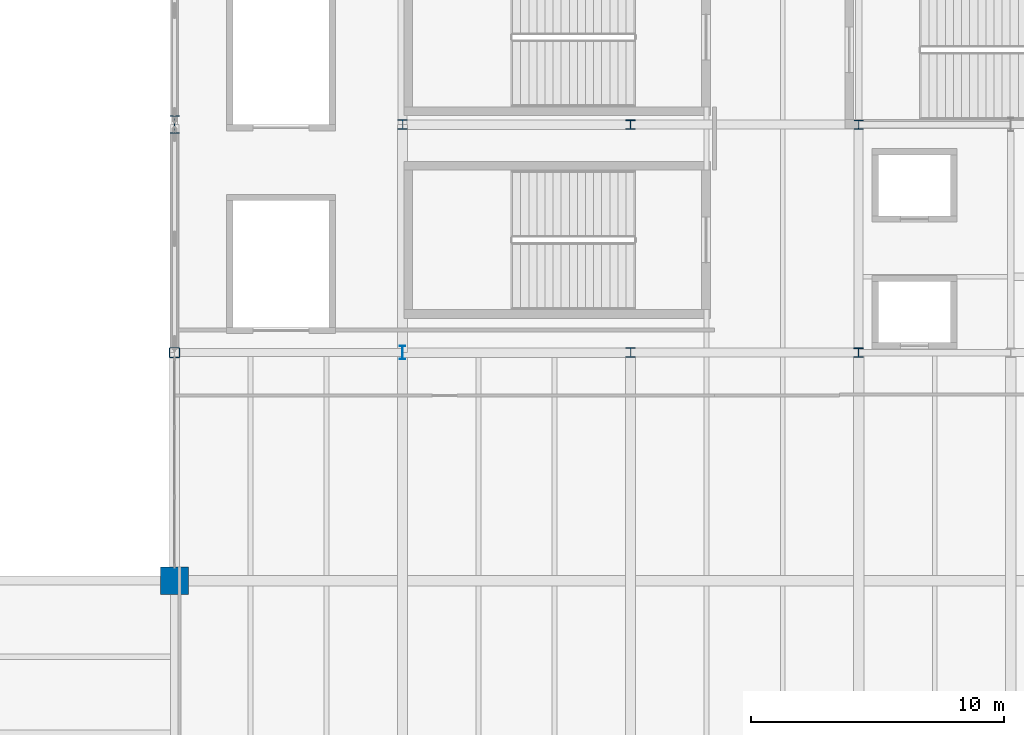
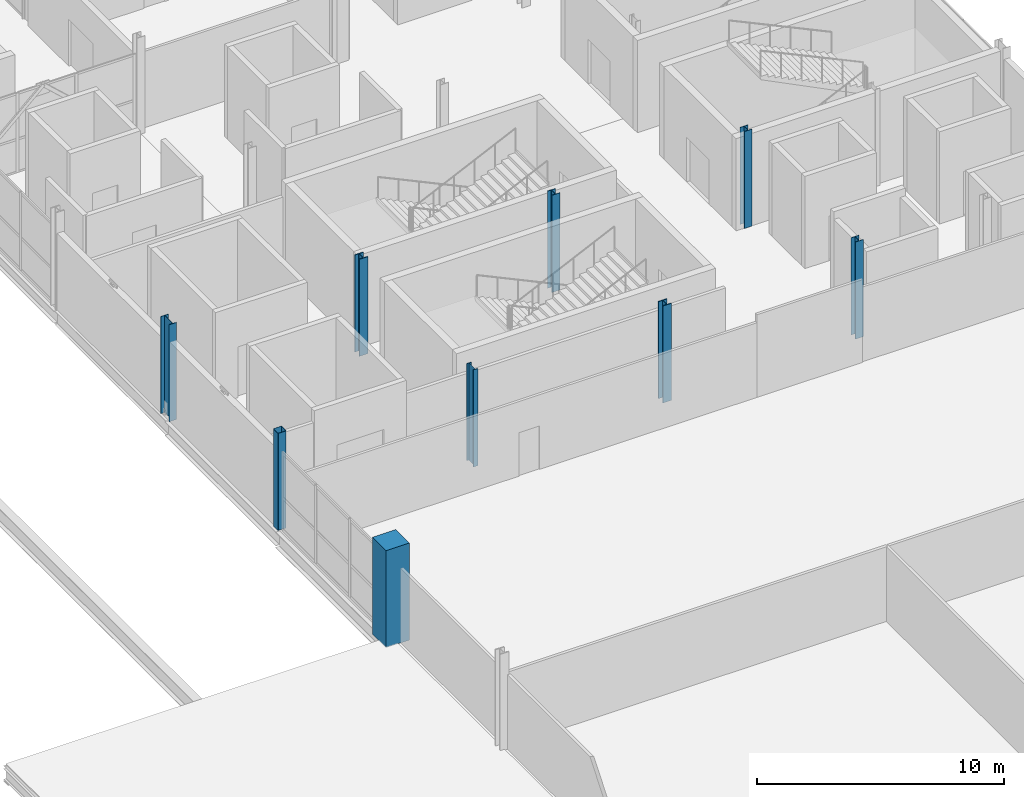
# One storey, part 2 of 50: 9 columns.
"""IFC4 building model written with IfcOpenShell, lengths in metres."""

from ifc_helpers import new_model, si_unit, direction, frame, origin, origin_2d, place, context, subcontext, project, spatial, rectangle, hollow_rectangle, i_section, extrude, material, material_profile, profile_set, type_object, element, save


model = new_model("IFC4")

# Units and contexts
model_context = context("Model", 3, precision=1e-05, world=origin(), true_north=direction((0.0, 1.0)))
body_context = subcontext(model_context, "Body", "Model", "MODEL_VIEW")
ifc_project = project(units=[si_unit("LENGTHUNIT", "METRE"), si_unit("AREAUNIT", "SQUARE_METRE"), si_unit("VOLUMEUNIT", "CUBIC_METRE"), si_unit("PLANEANGLEUNIT", "RADIAN"), si_unit("MASSUNIT", "GRAM", prefix="KILO")], contexts=[model_context])

# Site, building, storey
site_placement = place(None, origin())
site = spatial("IfcSite", under=ifc_project, at=site_placement, CompositionType="ELEMENT")
building_placement = place(site_placement, origin())
building = spatial("IfcBuilding", under=site, at=building_placement, Name="Qamarlyn Nura Convention Centre", CompositionType="ELEMENT")
storey_placement = place(building_placement, frame((0.0, 0.0, 20.39990234375)))
storey = spatial("IfcBuildingStorey", under=building, at=storey_placement, Name="L04", CompositionType="ELEMENT", Elevation=20.39990234375)

# Columns
ifc_material_1 = material(Name="Steel ASTM A500 Grade C", Category="steel")
ifc_material_profile_1 = material_profile(ifc_material_1, hollow_rectangle(XDim=0.39990234375, YDim=0.39990234375, WallThickness=0.01611328125, InnerFilletRadius=0.01611328125, OuterFilletRadius=0.031982421875, at=origin_2d()), Name="HSS400X400X16")
ifc_profile_set_1 = profile_set([ifc_material_profile_1], Name="Steel ASTM A500 Grade C")
column_type_1 = type_object("IfcColumnType", Name="COL-HSS-1", PredefinedType="COLUMN", material=ifc_profile_set_1)
column_1_placement = place(storey_placement, frame((153.0, 54.0, 0.0), z_axis=(0.0, 0.0, 1.0), x_axis=(1.0, 0.0, 0.0)))
element("IfcColumn", 1, at=column_1_placement, inside=storey, type_object=column_type_1, Name="L04 column 13/G", PredefinedType="COLUMN", context=body_context, shape_type="SweptSolid", body=[
    extrude(hollow_rectangle(XDim=0.39990234375, YDim=0.39990234375, WallThickness=0.01611328125, InnerFilletRadius=0.01611328125, OuterFilletRadius=0.031982421875, at=origin_2d()), origin(), (0.0, 0.0, 1.0), 4.800048828125),
])
ifc_material_2 = material(Name="Concrete C50/60", Category="concrete")
ifc_material_profile_2 = material_profile(ifc_material_2, rectangle(XDim=1.10009765625, YDim=1.10009765625, at=origin_2d()), Name="RC 1100x1100")
ifc_profile_set_2 = profile_set([ifc_material_profile_2], Name="Concrete C50/60")
column_type_2 = type_object("IfcColumnType", Name="COL-MEGA-2", PredefinedType="COLUMN", material=ifc_profile_set_2)
column_2_placement = place(storey_placement, frame((153.0, 45.0, 0.0), z_axis=(0.0, 0.0, 1.0), x_axis=(1.0, 0.0, 0.0)))
element("IfcColumn", 2, at=column_2_placement, inside=storey, type_object=column_type_2, Name="L04 column 13/F", PredefinedType="COLUMN", context=body_context, shape_type="SweptSolid", body=[
    extrude(rectangle(XDim=1.10009765625, YDim=1.10009765625, at=origin_2d()), origin(), (0.0, 0.0, 1.0), 4.800048828125),
])
ifc_material_3 = material(Name="Steel ASTM A992", Category="steel")
ifc_material_profile_3 = material_profile(ifc_material_3, i_section(OverallWidth=0.39892578125, OverallDepth=0.39306640625, WebThickness=0.022705078125, FlangeThickness=0.03662109375, FilletRadius=0.01806640625, at=origin_2d()), Name="W360X287")
ifc_profile_set_3 = profile_set([ifc_material_profile_3], Name="Steel ASTM A992")
column_type_3 = type_object("IfcColumnType", Name="COL-WING-1", PredefinedType="COLUMN", material=ifc_profile_set_3)
for number, where, z_axis, x_axis, name in (
    (3, (162.0, 63.0, 0.0), (0.0, 0.0, 1.0), (1.0, 0.0, 0.0), "L04 column 14/H"),
    (4, (171.0, 54.0, 0.0), (0.0, 0.0, 1.0), (1.0, 0.0, 0.0), "L04 column 15/G"),
):
    element("IfcColumn", number, at=place(storey_placement, frame(where, z_axis=z_axis, x_axis=x_axis)), inside=storey, type_object=column_type_3, Name=name, PredefinedType="COLUMN", context=body_context, shape_type="SweptSolid", body=[
        extrude(i_section(OverallWidth=0.39892578125, OverallDepth=0.39306640625, WebThickness=0.022705078125, FlangeThickness=0.03662109375, FilletRadius=0.01806640625, at=origin_2d()), origin(), (0.0, 0.0, 1.0), 4.800048828125),
    ])
ifc_material_profile_4 = material_profile(ifc_material_3, i_section(OverallWidth=0.3740234375, OverallDepth=0.3720703125, WebThickness=0.016357421875, FlangeThickness=0.026123046875, FilletRadius=0.01611328125, at=origin_2d()), Name="W360X196")
ifc_profile_set_4 = profile_set([ifc_material_profile_4], Name="Steel ASTM A992")
column_type_4 = type_object("IfcColumnType", Name="COL-WING-2", PredefinedType="COLUMN", material=ifc_profile_set_4)
for number, where, z_axis, x_axis, name in (
    (5, (171.0, 63.0, 0.0), (0.0, 0.0, 1.0), (1.0, 0.0, 0.0), "L04 column 15/H"),
    (6, (180.0, 54.0, 0.0), (0.0, 0.0, 1.0), (1.0, 0.0, 0.0), "L04 column 16/G"),
):
    element("IfcColumn", number, at=place(storey_placement, frame(where, z_axis=z_axis, x_axis=x_axis)), inside=storey, type_object=column_type_4, Name=name, PredefinedType="COLUMN", context=body_context, shape_type="SweptSolid", body=[
        extrude(i_section(OverallWidth=0.3740234375, OverallDepth=0.3720703125, WebThickness=0.016357421875, FlangeThickness=0.026123046875, FilletRadius=0.01611328125, at=origin_2d()), origin(), (0.0, 0.0, 1.0), 4.800048828125),
    ])
ifc_material_profile_5 = material_profile(ifc_material_3, i_section(OverallWidth=0.368896484375, OverallDepth=0.35595703125, WebThickness=0.01123046875, FlangeThickness=0.01806640625, FilletRadius=0.014892578125, at=origin_2d()), Name="W360X134")
ifc_profile_set_5 = profile_set([ifc_material_profile_5], Name="Steel ASTM A992")
column_type_5 = type_object("IfcColumnType", Name="COL-WING-3", PredefinedType="COLUMN", material=ifc_profile_set_5)
column_3_placement = place(storey_placement, frame((180.0, 63.0, 0.0), z_axis=(0.0, 0.0, 1.0), x_axis=(1.0, 0.0, 0.0)))
element("IfcColumn", 7, at=column_3_placement, inside=storey, type_object=column_type_5, Name="L04 column 16/H", PredefinedType="COLUMN", context=body_context, shape_type="SweptSolid", body=[
    extrude(i_section(OverallWidth=0.368896484375, OverallDepth=0.35595703125, WebThickness=0.01123046875, FlangeThickness=0.01806640625, FilletRadius=0.014892578125, at=origin_2d()), origin(), (0.0, 0.0, 1.0), 4.800048828125),
])
ifc_material_profile_6 = material_profile(ifc_material_3, i_section(OverallWidth=0.35498046875, OverallDepth=0.695068359375, WebThickness=0.015380859375, FlangeThickness=0.02490234375, FilletRadius=0.01806640625, at=origin_2d()), Name="W690X217")
ifc_profile_set_6 = profile_set([ifc_material_profile_6], Name="Steel ASTM A992")
column_type_6 = type_object("IfcColumnType", Name="COL-WING-5", PredefinedType="COLUMN", material=ifc_profile_set_6)
column_4_placement = place(storey_placement, frame((153.0, 63.0, 0.0), z_axis=(0.0, 0.0, 1.0), x_axis=(1.0, 0.0, 0.0)))
element("IfcColumn", 8, at=column_4_placement, inside=storey, type_object=column_type_6, Name="L04 column 13/H", PredefinedType="COLUMN", context=body_context, shape_type="SweptSolid", body=[
    extrude(i_section(OverallWidth=0.35498046875, OverallDepth=0.695068359375, WebThickness=0.015380859375, FlangeThickness=0.02490234375, FilletRadius=0.01806640625, at=origin_2d()), origin(), (0.0, 0.0, 1.0), 4.800048828125),
])
ifc_material_profile_7 = material_profile(ifc_material_3, i_section(OverallWidth=0.2109375, OverallDepth=0.5390625, WebThickness=0.01171875, FlangeThickness=0.018798828125, FilletRadius=0.013916015625, at=origin_2d()), Name="W530X109")
ifc_profile_set_7 = profile_set([ifc_material_profile_7], Name="Steel ASTM A992")
column_type_7 = type_object("IfcColumnType", Name="COL-WING-7", PredefinedType="COLUMN", material=ifc_profile_set_7)
column_5_placement = place(storey_placement, frame((162.0, 54.0, 0.0), z_axis=(0.0, 0.0, 1.0), x_axis=(1.0, 0.0, 0.0)))
element("IfcColumn", 9, at=column_5_placement, inside=storey, type_object=column_type_7, Name="L04 column 14/G", PredefinedType="COLUMN", context=body_context, shape_type="SweptSolid", body=[
    extrude(i_section(OverallWidth=0.2109375, OverallDepth=0.5390625, WebThickness=0.01171875, FlangeThickness=0.018798828125, FilletRadius=0.013916015625, at=origin_2d()), origin(), (0.0, 0.0, 1.0), 4.800048828125),
])

save(model, "model.ifc")
